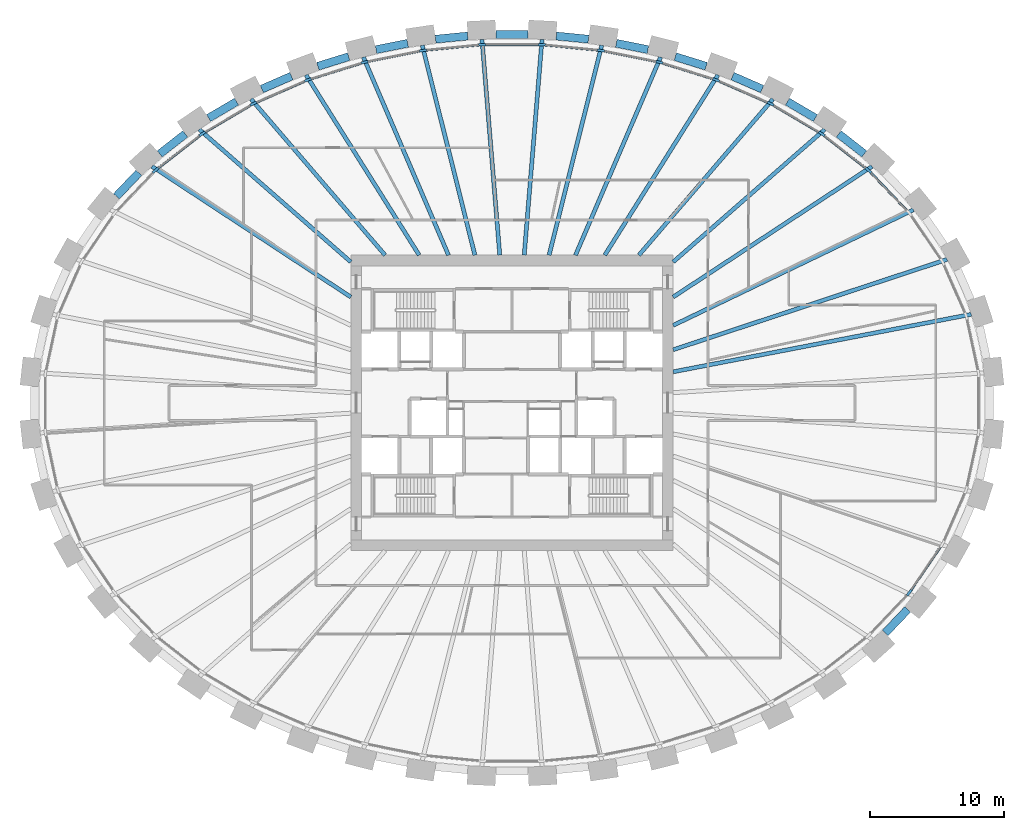
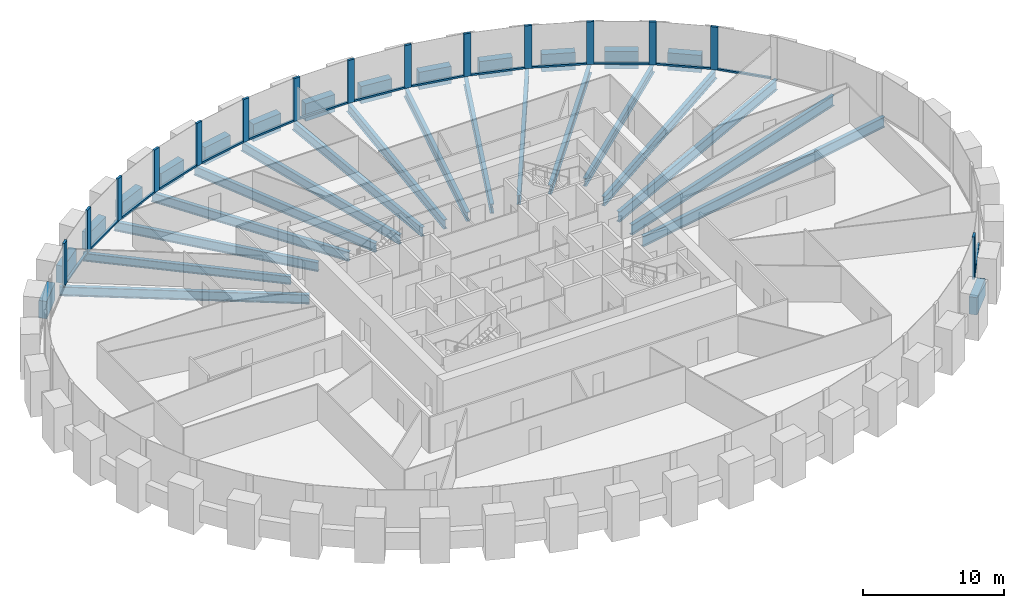
# One storey, part 3 of 11: 32 beams, 30 members, 1 element without a shape of its own.
"""IFC4 building model written with IfcOpenShell, lengths in metres."""

from ifc_helpers import new_model, si_unit, direction, frame, origin, origin_2d, place, context, subcontext, project, spatial, rectangle, i_section, extrude, source, transform, mapped, material, material_profile, profile_set, type_object, element, aggregate, save


model = new_model("IFC4")

# Units and contexts
model_context = context("Model", 3, precision=1e-05, world=origin(), true_north=direction((0.0, 1.0)))
body_context = subcontext(model_context, "Body", "Model", "MODEL_VIEW")
ifc_project = project(units=[si_unit("LENGTHUNIT", "METRE"), si_unit("AREAUNIT", "SQUARE_METRE"), si_unit("VOLUMEUNIT", "CUBIC_METRE"), si_unit("PLANEANGLEUNIT", "RADIAN"), si_unit("MASSUNIT", "GRAM", prefix="KILO")], contexts=[model_context])

# Site, building, storey
site_placement = place(None, origin())
site = spatial("IfcSite", under=ifc_project, at=site_placement, CompositionType="ELEMENT")
building_placement = place(site_placement, origin())
building = spatial("IfcBuilding", under=site, at=building_placement, Name="Embergate Tower", CompositionType="ELEMENT")
storey_placement = place(building_placement, frame((0.0, 0.0, 203.39990234375)))
storey = spatial("IfcBuildingStorey", under=building, at=storey_placement, Name="L46", CompositionType="ELEMENT", Elevation=203.39990234375)

# Beams
ifc_material_1 = material(Name="Concrete C60", Category="concrete")
ifc_material_profile_1 = material_profile(ifc_material_1, rectangle(XDim=0.60009765625, YDim=1.5, at=origin_2d()), Name="RC 600x1500")
ifc_profile_set_1 = profile_set([ifc_material_profile_1], Name="Concrete C60")
beam_type_1 = type_object("IfcBeamType", Name="Spandrel beam RC 600x1500 C60", PredefinedType="BEAM", material=ifc_profile_set_1)
shared_shape_1 = source(origin(), body_context, "Body", "SweptSolid", [
    extrude(rectangle(XDim=0.60009765625, YDim=1.5, at=origin_2d()), origin(), (0.0, 0.0, 1.0), 2.419677734375),
])
for number, where, z_axis, x_axis, name in (
    (1, (-27.779052734375, 17.1279296875, 0.0), (-0.69015890768, -0.723657848813, 0.0), (0.723657848813, -0.69015890768, 0.0), "SPN-L46-17"),
    (2, (27.779052734375, -17.1279296875, 0.0), (0.69015890768, 0.723657848813, 0.0), (-0.723657848813, 0.69015890768, 0.0), "SPN-L46-39"),
):
    element("IfcBeam", number, at=place(storey_placement, frame(where, z_axis=z_axis, x_axis=x_axis)), inside=storey, type_object=beam_type_1, Name=name, PredefinedType="BEAM", context=body_context, shape_type="MappedRepresentation", body=[
        mapped(shared_shape_1, transform((0.0, 0.0, 0.0))),
    ])
shared_shape_2 = source(origin(), body_context, "Body", "SweptSolid", [
    extrude(rectangle(XDim=0.60009765625, YDim=1.5, at=origin_2d()), origin(), (0.0, 0.0, 1.0), 2.4150390625),
])
for number, where, z_axis, x_axis, name in (
    (3, (26.222900390625, 18.5380859375, 0.0), (-0.788327742651, 0.615255532415, 0.0), (-0.615255532415, -0.788327742651, 0.0), "SPN-L46-04"),
    (4, (-24.319091796875, 20.02392578125, 0.0), (-0.788327742651, -0.615255532415, 0.0), (0.615255532415, -0.788327742651, 0.0), "SPN-L46-16"),
):
    element("IfcBeam", number, at=place(storey_placement, frame(where, z_axis=z_axis, x_axis=x_axis)), inside=storey, type_object=beam_type_1, Name=name, PredefinedType="BEAM", context=body_context, shape_type="MappedRepresentation", body=[
        mapped(shared_shape_2, transform((0.0, 0.0, 0.0))),
    ])
shared_shape_3 = source(origin(), body_context, "Body", "SweptSolid", [
    extrude(rectangle(XDim=0.60009765625, YDim=1.5, at=origin_2d()), origin(), (0.0, 0.0, 1.0), 2.41015625),
])
for number, where, z_axis, x_axis, name in (
    (5, (22.58203125, 21.205078125, 0.0), (-0.862202298523, 0.506564108895, 0.0), (-0.506564108895, -0.862202298523, 0.0), "SPN-L46-05"),
    (6, (-20.50390625, 22.426025390625, 0.0), (-0.862202298523, -0.506564108895, 0.0), (0.506564108895, -0.862202298523, 0.0), "SPN-L46-15"),
):
    element("IfcBeam", number, at=place(storey_placement, frame(where, z_axis=z_axis, x_axis=x_axis)), inside=storey, type_object=beam_type_1, Name=name, PredefinedType="BEAM", context=body_context, shape_type="MappedRepresentation", body=[
        mapped(shared_shape_3, transform((0.0, 0.0, 0.0))),
    ])
shared_shape_4 = source(origin(), body_context, "Body", "SweptSolid", [
    extrude(rectangle(XDim=0.60009765625, YDim=1.5, at=origin_2d()), origin(), (0.0, 0.0, 1.0), 2.407470703125),
])
for number, where, z_axis, x_axis, name in (
    (7, (18.625, 23.363037109375, 0.0), (-0.916352733651, 0.400371911515, 0.0), (-0.400371911515, -0.916352733651, 0.0), "SPN-L46-06"),
    (8, (-16.4189453125, 24.326904296875, 0.0), (-0.916352733651, -0.400371911515, 0.0), (0.400371911515, -0.916352733651, 0.0), "SPN-L46-14"),
):
    element("IfcBeam", number, at=place(storey_placement, frame(where, z_axis=z_axis, x_axis=x_axis)), inside=storey, type_object=beam_type_1, Name=name, PredefinedType="BEAM", context=body_context, shape_type="MappedRepresentation", body=[
        mapped(shared_shape_4, transform((0.0, 0.0, 0.0))),
    ])
shared_shape_5 = source(origin(), body_context, "Body", "SweptSolid", [
    extrude(rectangle(XDim=0.60009765625, YDim=1.5, at=origin_2d()), origin(), (0.0, 0.0, 1.0), 2.404541015625),
])
for number, where, z_axis, x_axis, name in (
    (9, (14.451904296875, 25.06103515625, 0.0), (-0.954790193156, 0.297280485491, 0.0), (-0.297280485491, -0.954790193156, 0.0), "SPN-L46-07"),
    (10, (-12.156005859375, 25.77587890625, 0.0), (-0.954790193156, -0.297280485491, 0.0), (0.297280485491, -0.954790193156, 0.0), "SPN-L46-13"),
):
    element("IfcBeam", number, at=place(storey_placement, frame(where, z_axis=z_axis, x_axis=x_axis)), inside=storey, type_object=beam_type_1, Name=name, PredefinedType="BEAM", context=body_context, shape_type="MappedRepresentation", body=[
        mapped(shared_shape_5, transform((0.0, 0.0, 0.0))),
    ])
shared_shape_6 = source(origin(), body_context, "Body", "SweptSolid", [
    extrude(rectangle(XDim=0.60009765625, YDim=1.5, at=origin_2d()), origin(), (0.0, 0.0, 1.0), 2.40185546875),
])
for number, where, z_axis, x_axis, name in (
    (11, (10.12109375, 26.2958984375, 0.0), (-0.980486735487, 0.196585252585, 0.0), (-0.196585252585, -0.980486735487, 0.0), "SPN-L46-08"),
    (12, (1.200927734375, 27.416015625, 0.0), (-1.0, 0.0, 0.0), (0.0, -1.0, 0.0), "SPN-L46-10"),
    (13, (-7.76611328125, 26.76806640625, 0.0), (-0.980486735487, -0.196585252585, 0.0), (0.196585252585, -0.980486735487, 0.0), "SPN-L46-12"),
):
    element("IfcBeam", number, at=place(storey_placement, frame(where, z_axis=z_axis, x_axis=x_axis)), inside=storey, type_object=beam_type_1, Name=name, PredefinedType="BEAM", context=body_context, shape_type="MappedRepresentation", body=[
        mapped(shared_shape_6, transform((0.0, 0.0, 0.0))),
    ])
shared_shape_7 = source(origin(), body_context, "Body", "SweptSolid", [
    extrude(rectangle(XDim=0.60009765625, YDim=1.5, at=origin_2d()), origin(), (0.0, 0.0, 1.0), 2.4013671875),
])
for number, where, z_axis, x_axis, name in (
    (14, (5.68896484375, 27.077880859375, 0.0), (-0.995195949519, 0.097903125895, 0.0), (-0.097903125895, -0.995195949519, 0.0), "SPN-L46-09"),
    (15, (-3.299072265625, 27.31298828125, 0.0), (-0.995195949519, -0.097903125895, 0.0), (0.097903125895, -0.995195949519, 0.0), "SPN-L46-11"),
):
    element("IfcBeam", number, at=place(storey_placement, frame(where, z_axis=z_axis, x_axis=x_axis)), inside=storey, type_object=beam_type_1, Name=name, PredefinedType="BEAM", context=body_context, shape_type="MappedRepresentation", body=[
        mapped(shared_shape_7, transform((0.0, 0.0, 0.0))),
    ])
ifc_material_2 = material(Name="Steel Q355B", Category="steel")
ifc_material_profile_2 = material_profile(ifc_material_2, i_section(OverallWidth=0.300048828125, OverallDepth=0.89990234375, WebThickness=0.01611328125, FlangeThickness=0.028076171875, FilletRadius=0.028076171875, at=origin_2d()), Name="HN 900x300x16x28")
ifc_profile_set_2 = profile_set([ifc_material_profile_2], Name="Steel Q355 grade B")
beam_type_2 = type_object("IfcBeamType", Name="Radial girder HN 900x300x16x28", PredefinedType="BEAM", material=ifc_profile_set_2)
shared_shape_8 = source(origin(), body_context, "Body", "SweptSolid", [
    extrude(i_section(OverallWidth=0.300048828125, OverallDepth=0.89990234375, WebThickness=0.01611328125, FlangeThickness=0.028076171875, FilletRadius=0.028076171875, at=origin_2d()), origin(), (0.0, 0.0, 1.0), 22.592041015625),
])
beam_1_placement = place(storey_placement, frame((34.18310546875, 6.593994140625, -0.64990234375), z_axis=(-0.98189899441, -0.189405292367, 0.0), x_axis=(0.189405292367, -0.98189899441, 0.0)))
element("IfcBeam", 16, at=beam_1_placement, inside=storey, type_object=beam_type_2, Name="GIR-L46-01", PredefinedType="BEAM", context=body_context, shape_type="MappedRepresentation", body=[
    mapped(shared_shape_8, transform((0.0, 0.0, 0.0))),
])
shared_shape_9 = source(origin(), body_context, "Body", "SweptSolid", [
    extrude(i_section(OverallWidth=0.300048828125, OverallDepth=0.89990234375, WebThickness=0.01611328125, FlangeThickness=0.028076171875, FilletRadius=0.028076171875, at=origin_2d()), origin(), (0.0, 0.0, 1.0), 21.47119140625),
])
beam_2_placement = place(storey_placement, frame((32.39111328125, 10.681884765625, -0.64990234375), z_axis=(-0.949700564112, -0.313159445849, 0.0), x_axis=(0.313159445849, -0.949700564112, 0.0)))
element("IfcBeam", 17, at=beam_2_placement, inside=storey, type_object=beam_type_2, Name="GIR-L46-02", PredefinedType="BEAM", context=body_context, shape_type="MappedRepresentation", body=[
    mapped(shared_shape_9, transform((0.0, 0.0, 0.0))),
])
shared_shape_10 = source(origin(), body_context, "Body", "SweptSolid", [
    extrude(i_section(OverallWidth=0.300048828125, OverallDepth=0.89990234375, WebThickness=0.01611328125, FlangeThickness=0.028076171875, FilletRadius=0.028076171875, at=origin_2d()), origin(), (0.0, 0.0, 1.0), 19.841064453125),
])
beam_3_placement = place(storey_placement, frame((29.8798828125, 14.3740234375, -0.64990234375), z_axis=(-0.901154450988, -0.433498160854, 0.0), x_axis=(0.433498160854, -0.901154450988, 0.0)))
element("IfcBeam", 18, at=beam_3_placement, inside=storey, type_object=beam_type_2, Name="GIR-L46-03", PredefinedType="BEAM", context=body_context, shape_type="MappedRepresentation", body=[
    mapped(shared_shape_10, transform((0.0, 0.0, 0.0))),
])
ifc_material_profile_3 = material_profile(ifc_material_2, i_section(OverallWidth=0.300048828125, OverallDepth=0.800048828125, WebThickness=0.013916015625, FlangeThickness=0.02587890625, FilletRadius=0.028076171875, at=origin_2d()), Name="HN 800x300x14x26")
ifc_profile_set_3 = profile_set([ifc_material_profile_3], Name="Steel Q355 grade B")
beam_type_3 = type_object("IfcBeamType", Name="Radial girder HN 800x300x14x26", PredefinedType="BEAM", material=ifc_profile_set_3)
shared_shape_11 = source(origin(), body_context, "Body", "SweptSolid", [
    extrude(i_section(OverallWidth=0.300048828125, OverallDepth=0.800048828125, WebThickness=0.013916015625, FlangeThickness=0.02587890625, FilletRadius=0.028076171875, at=origin_2d()), origin(), (0.0, 0.0, 1.0), 17.70654296875),
])
for number, where, z_axis, x_axis, name in (
    (19, (26.798095703125, 17.60693359375, -0.599853515625), (-0.835745977406, -0.549116254767, 0.0), (0.549116254767, -0.835745977406, 0.0), "GIR-L46-04"),
    (20, (-26.798095703125, 17.60693359375, -0.599853515625), (0.835745977406, -0.549116254767, 0.0), (0.549116254767, 0.835745977406, 0.0), "GIR-L46-17"),
):
    element("IfcBeam", number, at=place(storey_placement, frame(where, z_axis=z_axis, x_axis=x_axis)), inside=storey, type_object=beam_type_3, Name=name, PredefinedType="BEAM", context=body_context, shape_type="MappedRepresentation", body=[
        mapped(shared_shape_11, transform((0.0, 0.0, 0.0))),
    ])
ifc_material_profile_4 = material_profile(ifc_material_2, i_section(OverallWidth=0.300048828125, OverallDepth=0.699951171875, WebThickness=0.012939453125, FlangeThickness=0.02392578125, FilletRadius=0.01806640625, at=origin_2d()), Name="HN 700x300x13x24")
ifc_profile_set_4 = profile_set([ifc_material_profile_4], Name="Steel Q355 grade B")
beam_type_4 = type_object("IfcBeamType", Name="Radial girder HN 700x300x13x24", PredefinedType="BEAM", material=ifc_profile_set_4)
shared_shape_12 = source(origin(), body_context, "Body", "SweptSolid", [
    extrude(i_section(OverallWidth=0.300048828125, OverallDepth=0.699951171875, WebThickness=0.012939453125, FlangeThickness=0.02392578125, FilletRadius=0.01806640625, at=origin_2d()), origin(), (0.0, 0.0, 1.0), 14.9794921875),
])
for number, where, z_axis, x_axis, name in (
    (21, (23.27587890625, 20.35595703125, -0.5498046875), (-0.752760419663, -0.658294577365, 0.0), (0.658294577365, -0.752760419663, 0.0), "GIR-L46-05"),
    (22, (-23.27587890625, 20.35595703125, -0.5498046875), (0.752760419663, -0.658294577365, 0.0), (0.658294577365, 0.752760419663, 0.0), "GIR-L46-16"),
):
    element("IfcBeam", number, at=place(storey_placement, frame(where, z_axis=z_axis, x_axis=x_axis)), inside=storey, type_object=beam_type_4, Name=name, PredefinedType="BEAM", context=body_context, shape_type="MappedRepresentation", body=[
        mapped(shared_shape_12, transform((0.0, 0.0, 0.0))),
    ])
shared_shape_13 = source(origin(), body_context, "Body", "SweptSolid", [
    extrude(i_section(OverallWidth=0.300048828125, OverallDepth=0.800048828125, WebThickness=0.013916015625, FlangeThickness=0.02587890625, FilletRadius=0.028076171875, at=origin_2d()), origin(), (0.0, 0.0, 1.0), 15.31689453125),
])
for number, where, z_axis, x_axis, name in (
    (23, (19.425048828125, 22.6201171875, -0.599853515625), (-0.651502542644, -0.758646450548, 0.0), (0.758646450548, -0.651502542644, 0.0), "GIR-L46-06"),
    (24, (-19.425048828125, 22.6201171875, -0.599853515625), (0.651502542644, -0.758646450548, 0.0), (0.758646450548, 0.651502542644, 0.0), "GIR-L46-15"),
):
    element("IfcBeam", number, at=place(storey_placement, frame(where, z_axis=z_axis, x_axis=x_axis)), inside=storey, type_object=beam_type_3, Name=name, PredefinedType="BEAM", context=body_context, shape_type="MappedRepresentation", body=[
        mapped(shared_shape_13, transform((0.0, 0.0, 0.0))),
    ])
shared_shape_14 = source(origin(), body_context, "Body", "SweptSolid", [
    extrude(i_section(OverallWidth=0.300048828125, OverallDepth=0.800048828125, WebThickness=0.013916015625, FlangeThickness=0.02587890625, FilletRadius=0.028076171875, at=origin_2d()), origin(), (0.0, 0.0, 1.0), 15.836181640625),
])
for number, where, z_axis, x_axis, name in (
    (25, (15.330078125, 24.410888671875, -0.599853515625), (-0.531828302788, -0.846852204552, 0.0), (0.846852204552, -0.531828302788, 0.0), "GIR-L46-07"),
    (26, (-15.330078125, 24.410888671875, -0.599853515625), (0.531828302788, -0.846852204552, 0.0), (0.846852204552, 0.531828302788, 0.0), "GIR-L46-14"),
):
    element("IfcBeam", number, at=place(storey_placement, frame(where, z_axis=z_axis, x_axis=x_axis)), inside=storey, type_object=beam_type_3, Name=name, PredefinedType="BEAM", context=body_context, shape_type="MappedRepresentation", body=[
        mapped(shared_shape_14, transform((0.0, 0.0, 0.0))),
    ])
shared_shape_15 = source(origin(), body_context, "Body", "SweptSolid", [
    extrude(i_section(OverallWidth=0.300048828125, OverallDepth=0.800048828125, WebThickness=0.013916015625, FlangeThickness=0.02587890625, FilletRadius=0.028076171875, at=origin_2d()), origin(), (0.0, 0.0, 1.0), 16.043701171875),
])
for number, where, z_axis, x_axis, name in (
    (27, (11.06298828125, 25.739990234375, -0.599853515625), (-0.394857578675, -0.918742342859, 0.0), (0.918742342859, -0.394857578675, 0.0), "GIR-L46-08"),
    (28, (-11.06298828125, 25.739990234375, -0.599853515625), (0.394857578675, -0.918742342859, 0.0), (0.918742342859, 0.394857578675, 0.0), "GIR-L46-13"),
):
    element("IfcBeam", number, at=place(storey_placement, frame(where, z_axis=z_axis, x_axis=x_axis)), inside=storey, type_object=beam_type_3, Name=name, PredefinedType="BEAM", context=body_context, shape_type="MappedRepresentation", body=[
        mapped(shared_shape_15, transform((0.0, 0.0, 0.0))),
    ])
shared_shape_16 = source(origin(), body_context, "Body", "SweptSolid", [
    extrude(i_section(OverallWidth=0.300048828125, OverallDepth=0.800048828125, WebThickness=0.013916015625, FlangeThickness=0.02587890625, FilletRadius=0.028076171875, at=origin_2d()), origin(), (0.0, 0.0, 1.0), 16.103515625),
])
for number, where, z_axis, x_axis, name in (
    (29, (6.681884765625, 26.618896484375, -0.599853515625), (-0.243480824062, -0.969905711043, 0.0), (0.969905711043, -0.243480824062, 0.0), "GIR-L46-09"),
    (30, (-6.681884765625, 26.618896484375, -0.599853515625), (0.243480824062, -0.969905711043, 0.0), (0.969905711043, 0.243480824062, 0.0), "GIR-L46-12"),
):
    element("IfcBeam", number, at=place(storey_placement, frame(where, z_axis=z_axis, x_axis=x_axis)), inside=storey, type_object=beam_type_3, Name=name, PredefinedType="BEAM", context=body_context, shape_type="MappedRepresentation", body=[
        mapped(shared_shape_16, transform((0.0, 0.0, 0.0))),
    ])
shared_shape_17 = source(origin(), body_context, "Body", "SweptSolid", [
    extrude(i_section(OverallWidth=0.300048828125, OverallDepth=0.800048828125, WebThickness=0.013916015625, FlangeThickness=0.02587890625, FilletRadius=0.028076171875, at=origin_2d()), origin(), (0.0, 0.0, 1.0), 16.110595703125),
])
for number, where, z_axis, x_axis, name in (
    (31, (2.235107421875, 27.055908203125, -0.599853515625), (-0.082316809043, -0.996606212578, 0.0), (0.996606212578, -0.082316809043, 0.0), "GIR-L46-10"),
    (32, (-2.235107421875, 27.055908203125, -0.599853515625), (0.082316809043, -0.996606212578, 0.0), (0.996606212578, 0.082316809043, 0.0), "GIR-L46-11"),
):
    element("IfcBeam", number, at=place(storey_placement, frame(where, z_axis=z_axis, x_axis=x_axis)), inside=storey, type_object=beam_type_3, Name=name, PredefinedType="BEAM", context=body_context, shape_type="MappedRepresentation", body=[
        mapped(shared_shape_17, transform((0.0, 0.0, 0.0))),
    ])

# Curtain wall, members
ifc_material_3 = material(Name="Aluminium and glass", Category="aluminium")
curtain_wall_type = type_object("IfcCurtainWallType", Name="Recessed office glazing", PredefinedType="NOTDEFINED", material=ifc_material_3)
curtain_wall_placement = place(storey_placement, origin())
curtain_wall = element("IfcCurtainWall", 33, at=curtain_wall_placement, inside=storey, type_object=curtain_wall_type, Name="Recessed office glazing ring", ObjectType="RECESSED OFFICE GLAZING", PredefinedType="USERDEFINED")
ifc_material_4 = material(Name="Aluminium, thermally broken", Category="aluminium")
ifc_material_profile_5 = material_profile(ifc_material_4, rectangle(XDim=0.179931640625, YDim=0.52001953125, at=origin_2d()), Name="AL 520x180")
ifc_profile_set_5 = profile_set([ifc_material_profile_5], Name="Aluminium, thermally broken")
member_type_1 = type_object("IfcMemberType", Name="Office mullion", PredefinedType="MULLION", material=ifc_profile_set_5)
shared_shape_18 = source(origin(), body_context, "Body", "SweptSolid", [
    extrude(rectangle(XDim=0.179931640625, YDim=0.52001953125, at=origin_2d()), origin(), (0.0, 0.0, 1.0), 3.7001953125),
])
member_1_placement = place(storey_placement, frame((26.53662109375, 17.3173828125, 0.0), z_axis=(0.0, 0.0, 1.0), x_axis=(-0.671235590011, -0.741244077684, 0.0)))
member_1 = element("IfcMember", 34, at=member_1_placement, type_object=member_type_1, Name="CW mullion 5", PredefinedType="MULLION", context=body_context, shape_type="MappedRepresentation", body=[
    mapped(shared_shape_18, transform((0.0, 0.0, 0.0))),
])
member_2_placement = place(storey_placement, frame((23.057373046875, 20.03271484375, 0.0), z_axis=(0.0, 0.0, 1.0), x_axis=(-0.562226278725, -0.826983440893, 0.0)))
member_2 = element("IfcMember", 35, at=member_2_placement, type_object=member_type_1, Name="CW mullion 6", PredefinedType="MULLION", context=body_context, shape_type="MappedRepresentation", body=[
    mapped(shared_shape_18, transform((0.0, 0.0, 0.0))),
])
member_3_placement = place(storey_placement, frame((19.247802734375, 22.272705078125, 0.0), z_axis=(0.0, 0.0, 1.0), x_axis=(-0.454520708319, -0.890736170653, 0.0)))
member_3 = element("IfcMember", 36, at=member_3_placement, type_object=member_type_1, Name="CW mullion 7", PredefinedType="MULLION", context=body_context, shape_type="MappedRepresentation", body=[
    mapped(shared_shape_18, transform((0.0, 0.0, 0.0))),
])
member_4_placement = place(storey_placement, frame((15.194580078125, 24.045166015625, 0.0), z_axis=(0.0, 0.0, 1.0), x_axis=(-0.349510859141, -0.936932313106, 0.0)))
member_4 = element("IfcMember", 37, at=member_4_placement, type_object=member_type_1, Name="CW mullion 8", PredefinedType="MULLION", context=body_context, shape_type="MappedRepresentation", body=[
    mapped(shared_shape_18, transform((0.0, 0.0, 0.0))),
])
member_5_placement = place(storey_placement, frame((10.967529296875, 25.361572265625, 0.0), z_axis=(0.0, 0.0, 1.0), x_axis=(-0.247318645812, -0.968934201808, 0.0)))
member_5 = element("IfcMember", 38, at=member_5_placement, type_object=member_type_1, Name="CW mullion 9", PredefinedType="MULLION", context=body_context, shape_type="MappedRepresentation", body=[
    mapped(shared_shape_18, transform((0.0, 0.0, 0.0))),
])
member_6_placement = place(storey_placement, frame((6.624755859375, 26.232421875, 0.0), z_axis=(0.0, 0.0, 1.0), x_axis=(-0.147415835341, -0.989074603602, 0.0)))
member_6 = element("IfcMember", 39, at=member_6_placement, type_object=member_type_1, Name="CW mullion 10", PredefinedType="MULLION", context=body_context, shape_type="MappedRepresentation", body=[
    mapped(shared_shape_18, transform((0.0, 0.0, 0.0))),
])
member_7_placement = place(storey_placement, frame((2.215576171875, 26.666015625, 0.0), z_axis=(0.0, 0.0, 1.0), x_axis=(-0.048971796621, -0.998800161762, 0.0)))
member_7 = element("IfcMember", 40, at=member_7_placement, type_object=member_type_1, Name="CW mullion 11", PredefinedType="MULLION", context=body_context, shape_type="MappedRepresentation", body=[
    mapped(shared_shape_18, transform((0.0, 0.0, 0.0))),
])
member_8_placement = place(storey_placement, frame((-2.215576171875, 26.666015625, 0.0), z_axis=(0.0, 0.0, 1.0), x_axis=(0.048971796621, -0.998800161762, 0.0)))
member_8 = element("IfcMember", 41, at=member_8_placement, type_object=member_type_1, Name="CW mullion 12", PredefinedType="MULLION", context=body_context, shape_type="MappedRepresentation", body=[
    mapped(shared_shape_18, transform((0.0, 0.0, 0.0))),
])
member_9_placement = place(storey_placement, frame((-6.624755859375, 26.232421875, 0.0), z_axis=(0.0, 0.0, 1.0), x_axis=(0.147415835341, -0.989074603602, 0.0)))
member_9 = element("IfcMember", 42, at=member_9_placement, type_object=member_type_1, Name="CW mullion 13", PredefinedType="MULLION", context=body_context, shape_type="MappedRepresentation", body=[
    mapped(shared_shape_18, transform((0.0, 0.0, 0.0))),
])
member_10_placement = place(storey_placement, frame((-10.967529296875, 25.361572265625, 0.0), z_axis=(0.0, 0.0, 1.0), x_axis=(0.247318645812, -0.968934201808, 0.0)))
member_10 = element("IfcMember", 43, at=member_10_placement, type_object=member_type_1, Name="CW mullion 14", PredefinedType="MULLION", context=body_context, shape_type="MappedRepresentation", body=[
    mapped(shared_shape_18, transform((0.0, 0.0, 0.0))),
])
member_11_placement = place(storey_placement, frame((-15.194580078125, 24.045166015625, 0.0), z_axis=(0.0, 0.0, 1.0), x_axis=(0.349510859141, -0.936932313106, 0.0)))
member_11 = element("IfcMember", 44, at=member_11_placement, type_object=member_type_1, Name="CW mullion 15", PredefinedType="MULLION", context=body_context, shape_type="MappedRepresentation", body=[
    mapped(shared_shape_18, transform((0.0, 0.0, 0.0))),
])
member_12_placement = place(storey_placement, frame((-19.247802734375, 22.272705078125, 0.0), z_axis=(0.0, 0.0, 1.0), x_axis=(0.454520708319, -0.890736170653, 0.0)))
member_12 = element("IfcMember", 45, at=member_12_placement, type_object=member_type_1, Name="CW mullion 16", PredefinedType="MULLION", context=body_context, shape_type="MappedRepresentation", body=[
    mapped(shared_shape_18, transform((0.0, 0.0, 0.0))),
])
member_13_placement = place(storey_placement, frame((-23.057373046875, 20.03271484375, 0.0), z_axis=(0.0, 0.0, 1.0), x_axis=(0.562226278725, -0.826983440893, 0.0)))
member_13 = element("IfcMember", 46, at=member_13_placement, type_object=member_type_1, Name="CW mullion 17", PredefinedType="MULLION", context=body_context, shape_type="MappedRepresentation", body=[
    mapped(shared_shape_18, transform((0.0, 0.0, 0.0))),
])
member_14_placement = place(storey_placement, frame((-26.53662109375, 17.3173828125, 0.0), z_axis=(0.0, 0.0, 1.0), x_axis=(0.671235590011, -0.741244077684, 0.0)))
member_14 = element("IfcMember", 47, at=member_14_placement, type_object=member_type_1, Name="CW mullion 18", PredefinedType="MULLION", context=body_context, shape_type="MappedRepresentation", body=[
    mapped(shared_shape_18, transform((0.0, 0.0, 0.0))),
])
member_15_placement = place(storey_placement, frame((29.577392578125, -14.128662109375, 0.0), z_axis=(0.0, 0.0, 1.0), x_axis=(-0.777879145133, 0.628413904658, 0.0)))
member_15 = element("IfcMember", 48, at=member_15_placement, type_object=member_type_1, Name="CW mullion 41", PredefinedType="MULLION", context=body_context, shape_type="MappedRepresentation", body=[
    mapped(shared_shape_18, transform((0.0, 0.0, 0.0))),
])
ifc_material_profile_6 = material_profile(ifc_material_4, rectangle(XDim=0.179931640625, YDim=0.14990234375, at=origin_2d()), Name="AL 150x180")
ifc_profile_set_6 = profile_set([ifc_material_profile_6], Name="Aluminium, thermally broken")
member_type_2 = type_object("IfcMemberType", Name="Office sill transom", PredefinedType="USERDEFINED", material=ifc_profile_set_6)
shared_shape_19 = source(origin(), body_context, "Body", "SweptSolid", [
    extrude(rectangle(XDim=0.179931640625, YDim=0.14990234375, at=origin_2d()), origin(), (0.0, 0.0, 1.0), 3.87744140625),
])
member_16_placement = place(storey_placement, frame((29.723388671875, -13.913818359375, 0.0751953125), z_axis=(0.562334132223, 0.826910106201, 0.0), x_axis=(-0.826910106201, 0.562334132223, 0.0)))
member_16 = element("IfcMember", 49, at=member_16_placement, type_object=member_type_2, Name="CW transom 41.1", ObjectType="TRANSOM", PredefinedType="USERDEFINED", context=body_context, shape_type="MappedRepresentation", body=[
    mapped(shared_shape_19, transform((0.0, 0.0, 0.0))),
])
shared_shape_20 = source(origin(), body_context, "Body", "SweptSolid", [
    extrude(rectangle(XDim=0.179931640625, YDim=0.14990234375, at=origin_2d()), origin(), (0.0, 0.0, 1.0), 3.885986328125),
])
member_17_placement = place(storey_placement, frame((29.397705078125, 14.31689453125, 0.0751953125), z_axis=(-0.690100588862, 0.723713463501, 0.0), x_axis=(-0.723713463501, -0.690100588862, 0.0)))
member_17 = element("IfcMember", 50, at=member_17_placement, type_object=member_type_2, Name="CW transom 4.1", ObjectType="TRANSOM", PredefinedType="USERDEFINED", context=body_context, shape_type="MappedRepresentation", body=[
    mapped(shared_shape_20, transform((0.0, 0.0, 0.0))),
])
shared_shape_21 = source(origin(), body_context, "Body", "SweptSolid", [
    extrude(rectangle(XDim=0.179931640625, YDim=0.14990234375, at=origin_2d()), origin(), (0.0, 0.0, 1.0), 3.893310546875),
])
member_18_placement = place(storey_placement, frame((26.33154296875, 17.477294921875, 0.0751953125), z_axis=(-0.788300946637, 0.615289864641, 0.0), x_axis=(-0.615289864641, -0.788300946637, 0.0)))
member_18 = element("IfcMember", 51, at=member_18_placement, type_object=member_type_2, Name="CW transom 5.1", ObjectType="TRANSOM", PredefinedType="USERDEFINED", context=body_context, shape_type="MappedRepresentation", body=[
    mapped(shared_shape_21, transform((0.0, 0.0, 0.0))),
])
member_19_placement = place(storey_placement, frame((-23.262451171875, 19.872802734375, 0.0751953125), z_axis=(-0.788300946637, -0.615289864641, 0.0), x_axis=(0.615289864641, -0.788300946637, 0.0)))
member_19 = element("IfcMember", 52, at=member_19_placement, type_object=member_type_2, Name="CW transom 17.1", ObjectType="TRANSOM", PredefinedType="USERDEFINED", context=body_context, shape_type="MappedRepresentation", body=[
    mapped(shared_shape_21, transform((0.0, 0.0, 0.0))),
])
shared_shape_22 = source(origin(), body_context, "Body", "SweptSolid", [
    extrude(rectangle(XDim=0.179931640625, YDim=0.14990234375, at=origin_2d()), origin(), (0.0, 0.0, 1.0), 3.899169921875),
])
member_20_placement = place(storey_placement, frame((22.833251953125, 20.16455078125, 0.0751953125), z_axis=(-0.862038818014, 0.50684225972, 0.0), x_axis=(-0.50684225972, -0.862038818014, 0.0)))
member_20 = element("IfcMember", 53, at=member_20_placement, type_object=member_type_2, Name="CW transom 6.1", ObjectType="TRANSOM", PredefinedType="USERDEFINED", context=body_context, shape_type="MappedRepresentation", body=[
    mapped(shared_shape_22, transform((0.0, 0.0, 0.0))),
])
member_21_placement = place(storey_placement, frame((-19.471923828125, 22.140869140625, 0.0751953125), z_axis=(-0.862038818014, -0.50684225972, 0.0), x_axis=(0.50684225972, -0.862038818014, 0.0)))
member_21 = element("IfcMember", 54, at=member_21_placement, type_object=member_type_2, Name="CW transom 16.1", ObjectType="TRANSOM", PredefinedType="USERDEFINED", context=body_context, shape_type="MappedRepresentation", body=[
    mapped(shared_shape_22, transform((0.0, 0.0, 0.0))),
])
shared_shape_23 = source(origin(), body_context, "Body", "SweptSolid", [
    extrude(rectangle(XDim=0.179931640625, YDim=0.14990234375, at=origin_2d()), origin(), (0.0, 0.0, 1.0), 3.904052734375),
])
member_22_placement = place(storey_placement, frame((19.009521484375, 22.376708984375, 0.0751953125), z_axis=(-0.91622190986, 0.400671201725, 0.0), x_axis=(-0.400671201725, -0.91622190986, 0.0)))
member_22 = element("IfcMember", 55, at=member_22_placement, type_object=member_type_2, Name="CW transom 7.1", ObjectType="TRANSOM", PredefinedType="USERDEFINED", context=body_context, shape_type="MappedRepresentation", body=[
    mapped(shared_shape_23, transform((0.0, 0.0, 0.0))),
])
member_23_placement = place(storey_placement, frame((-15.4326171875, 23.94091796875, 0.0751953125), z_axis=(-0.91622190986, -0.400671201725, 0.0), x_axis=(0.400671201725, -0.91622190986, 0.0)))
member_23 = element("IfcMember", 56, at=member_23_placement, type_object=member_type_2, Name="CW transom 15.1", ObjectType="TRANSOM", PredefinedType="USERDEFINED", context=body_context, shape_type="MappedRepresentation", body=[
    mapped(shared_shape_23, transform((0.0, 0.0, 0.0))),
])
shared_shape_24 = source(origin(), body_context, "Body", "SweptSolid", [
    extrude(rectangle(XDim=0.179931640625, YDim=0.14990234375, at=origin_2d()), origin(), (0.0, 0.0, 1.0), 3.9072265625),
])
member_24_placement = place(storey_placement, frame((14.9462890625, 24.122314453125, 0.0751953125), z_axis=(-0.954764170674, 0.297364050277, 0.0), x_axis=(-0.297364050277, -0.954764170674, 0.0)))
member_24 = element("IfcMember", 57, at=member_24_placement, type_object=member_type_2, Name="CW transom 8.1", ObjectType="TRANSOM", PredefinedType="USERDEFINED", context=body_context, shape_type="MappedRepresentation", body=[
    mapped(shared_shape_24, transform((0.0, 0.0, 0.0))),
])
member_25_placement = place(storey_placement, frame((-11.2158203125, 25.2841796875, 0.0751953125), z_axis=(-0.954764170674, -0.297364050277, 0.0), x_axis=(0.297364050277, -0.954764170674, 0.0)))
member_25 = element("IfcMember", 58, at=member_25_placement, type_object=member_type_2, Name="CW transom 14.1", ObjectType="TRANSOM", PredefinedType="USERDEFINED", context=body_context, shape_type="MappedRepresentation", body=[
    mapped(shared_shape_24, transform((0.0, 0.0, 0.0))),
])
shared_shape_25 = source(origin(), body_context, "Body", "SweptSolid", [
    extrude(rectangle(XDim=0.179931640625, YDim=0.14990234375, at=origin_2d()), origin(), (0.0, 0.0, 1.0), 3.909423828125),
])
member_26_placement = place(storey_placement, frame((10.712646484375, 25.41259765625, 0.0751953125), z_axis=(-0.980472439404, 0.196656542145, 0.0), x_axis=(-0.196656542145, -0.980472439404, 0.0)))
member_26 = element("IfcMember", 59, at=member_26_placement, type_object=member_type_2, Name="CW transom 9.1", ObjectType="TRANSOM", PredefinedType="USERDEFINED", context=body_context, shape_type="MappedRepresentation", body=[
    mapped(shared_shape_25, transform((0.0, 0.0, 0.0))),
])
member_27_placement = place(storey_placement, frame((-6.879638671875, 26.181396484375, 0.0751953125), z_axis=(-0.980472439404, -0.196656542145, 0.0), x_axis=(0.196656542145, -0.980472439404, 0.0)))
member_27 = element("IfcMember", 60, at=member_27_placement, type_object=member_type_2, Name="CW transom 13.1", ObjectType="TRANSOM", PredefinedType="USERDEFINED", context=body_context, shape_type="MappedRepresentation", body=[
    mapped(shared_shape_25, transform((0.0, 0.0, 0.0))),
])
shared_shape_26 = source(origin(), body_context, "Body", "SweptSolid", [
    extrude(rectangle(XDim=0.179931640625, YDim=0.14990234375, at=origin_2d()), origin(), (0.0, 0.0, 1.0), 3.91064453125),
])
member_28_placement = place(storey_placement, frame((6.365966796875, 26.2578125, 0.0751953125), z_axis=(-0.995203291529, 0.097828464828, 0.0), x_axis=(-0.097828464828, -0.995203291529, 0.0)))
member_28 = element("IfcMember", 61, at=member_28_placement, type_object=member_type_2, Name="CW transom 10.1", ObjectType="TRANSOM", PredefinedType="USERDEFINED", context=body_context, shape_type="MappedRepresentation", body=[
    mapped(shared_shape_26, transform((0.0, 0.0, 0.0))),
])
member_29_placement = place(storey_placement, frame((-2.47412109375, 26.640380859375, 0.0751953125), z_axis=(-0.995203291529, -0.097828464828, 0.0), x_axis=(0.097828464828, -0.995203291529, 0.0)))
member_29 = element("IfcMember", 62, at=member_29_placement, type_object=member_type_2, Name="CW transom 12.1", ObjectType="TRANSOM", PredefinedType="USERDEFINED", context=body_context, shape_type="MappedRepresentation", body=[
    mapped(shared_shape_26, transform((0.0, 0.0, 0.0))),
])
shared_shape_27 = source(origin(), body_context, "Body", "SweptSolid", [
    extrude(rectangle(XDim=0.179931640625, YDim=0.14990234375, at=origin_2d()), origin(), (0.0, 0.0, 1.0), 3.9111328125),
])
member_30_placement = place(storey_placement, frame((1.95556640625, 26.666015625, 0.0751953125), z_axis=(-1.0, 0.0, 0.0), x_axis=(0.0, -1.0, 0.0)))
member_30 = element("IfcMember", 63, at=member_30_placement, type_object=member_type_2, Name="CW transom 11.1", ObjectType="TRANSOM", PredefinedType="USERDEFINED", context=body_context, shape_type="MappedRepresentation", body=[
    mapped(shared_shape_27, transform((0.0, 0.0, 0.0))),
])
aggregate(curtain_wall, [member_1, member_2, member_3, member_4, member_5, member_6, member_7, member_8, member_9, member_10, member_11, member_12, member_13, member_14, member_15, member_17, member_18, member_20, member_22, member_24, member_26, member_28, member_30, member_29, member_27, member_25, member_23, member_21, member_19, member_16])

save(model, "model.ifc")
